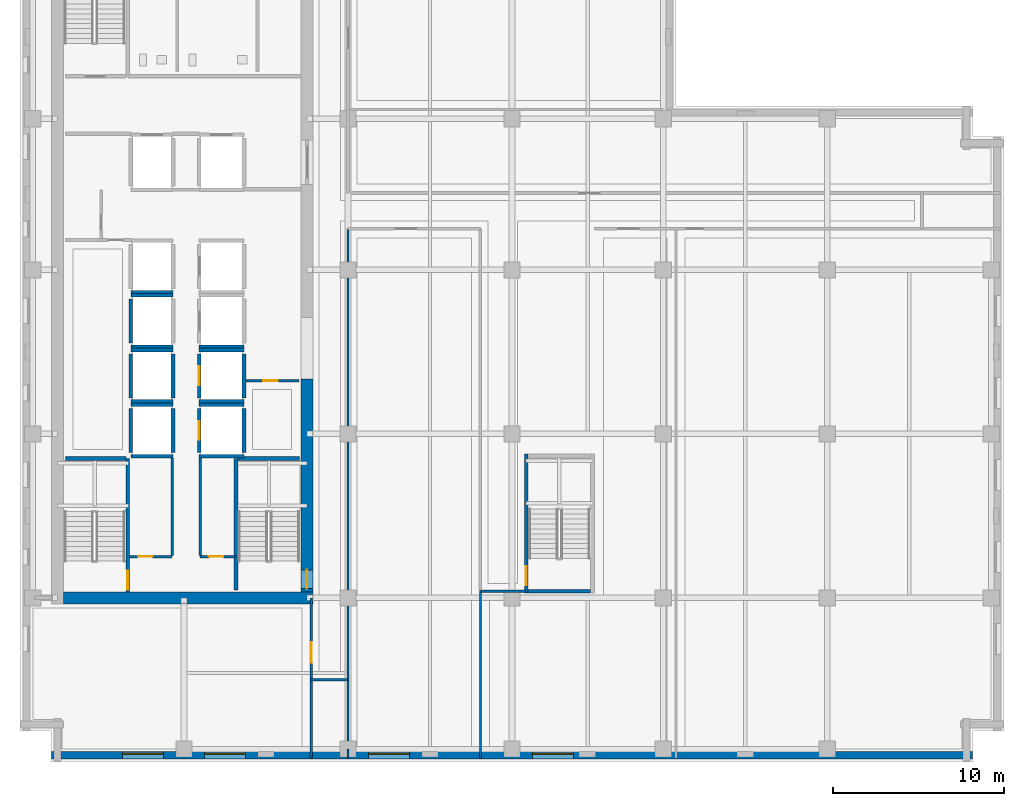
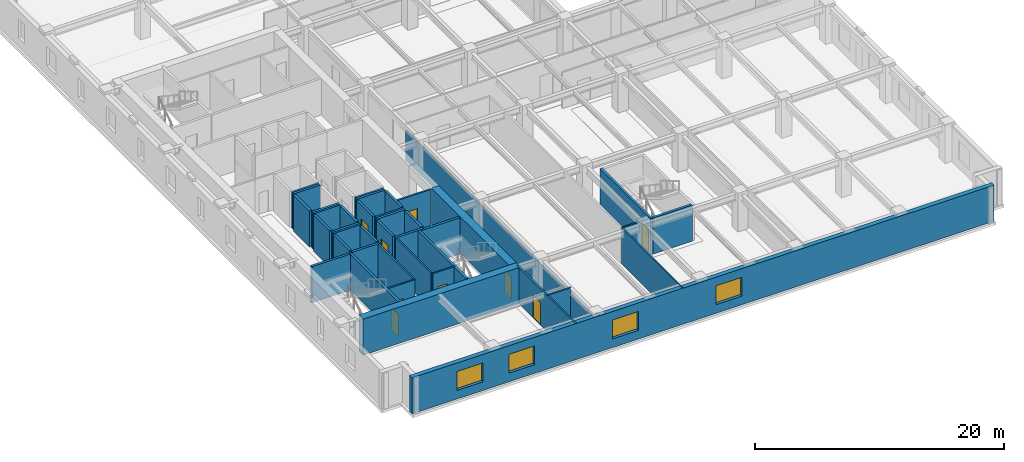
# One storey, part 4 of 14: 41 walls, 9 doors, 4 windows, 13 openings.
"""IFC4 building model written with IfcOpenShell, lengths in metres."""

from ifc_helpers import new_model, si_unit, direction, frame, frame_2d, origin, place, context, subcontext, project, spatial, rectangle, extrude, material, layer, layer_set, type_object, element, fill, save


model = new_model("IFC4")

# Units and contexts
model_context = context("Model", 3, precision=1e-05, world=origin(), true_north=direction((0.0, 1.0)))
body_context = subcontext(model_context, "Body", "Model", "MODEL_VIEW")
ifc_project = project(units=[si_unit("LENGTHUNIT", "METRE"), si_unit("AREAUNIT", "SQUARE_METRE"), si_unit("VOLUMEUNIT", "CUBIC_METRE"), si_unit("PLANEANGLEUNIT", "RADIAN"), si_unit("MASSUNIT", "GRAM", prefix="KILO")], contexts=[model_context])

# Site, building, storey
site_placement = place(None, origin())
site = spatial("IfcSite", under=ifc_project, at=site_placement, CompositionType="ELEMENT")
building_placement = place(site_placement, origin())
building = spatial("IfcBuilding", under=site, at=building_placement, Name="Norrvale University Quadrangle", CompositionType="ELEMENT")
storey_placement = place(building_placement, frame((0.0, 0.0, 156.0)))
storey = spatial("IfcBuildingStorey", under=building, at=storey_placement, Name="L39", CompositionType="ELEMENT", Elevation=156.0)

# Wall, openings, windows
ifc_material_1 = material(Name="Buff Norman Clay Brick Masonry", Category="masonry")
ifc_layer_1 = layer(ifc_material_1, 0.419921875, Name="Buff Norman Clay Brick Masonry")
ifc_layer_set_1 = layer_set([ifc_layer_1], Name="Buff Norman Clay Brick Masonry")
wall_type_1 = type_object("IfcWallType", Name="Wall Buff Brick 420", PredefinedType="SOLIDWALL", material=ifc_layer_set_1)
wall_1_placement = place(storey_placement, frame((1.840087890625, 0.389892578125, 0.0), z_axis=(0.0, 0.0, 1.0), x_axis=(1.0, 0.0, 0.0)))
wall_1 = element("IfcWall", 1, at=wall_1_placement, inside=storey, type_object=wall_type_1, Name="Exterior Brick Facade Wall L39-01.1", PredefinedType="SOLIDWALL", context=body_context, shape_type="SweptSolid", body=[
    extrude(rectangle(XDim=53.919921875, YDim=0.419921875, at=frame_2d((26.9599609375, 0.0))), origin(), (0.0, 0.0, 1.0), 3.5400390625),
])
opening_1_placement = place(wall_1_placement, frame((4.159912109375, 0.0, 0.85009765625)))
opening_1 = element("IfcOpeningElement", 2, at=opening_1_placement, cuts=wall_1, Name="Opening W02", PredefinedType="OPENING", context=body_context, shape_type="SweptSolid", body=[
    extrude(rectangle(XDim=2.39990234375, YDim=1.85009765625, at=frame_2d((1.199951171875, 0.925048828125))), frame((0.0, 0.221923828125, 0.0), z_axis=(0.0, -1.0, 0.0), x_axis=(1.0, 0.0, 0.0)), (0.0, 0.0, 1.0), 0.44384765625),
])
opening_2_placement = place(wall_1_placement, frame((8.9599609375, 0.0, 0.85009765625)))
opening_2 = element("IfcOpeningElement", 3, at=opening_2_placement, cuts=wall_1, Name="Opening W02", PredefinedType="OPENING", context=body_context, shape_type="SweptSolid", body=[
    extrude(rectangle(XDim=2.39990234375, YDim=1.85009765625, at=frame_2d((1.199951171875, 0.925048828125))), frame((0.0, 0.221923828125, 0.0), z_axis=(0.0, -1.0, 0.0), x_axis=(1.0, 0.0, 0.0)), (0.0, 0.0, 1.0), 0.44384765625),
])
opening_3_placement = place(wall_1_placement, frame((18.56005859375, 0.0, 0.85009765625)))
opening_3 = element("IfcOpeningElement", 4, at=opening_3_placement, cuts=wall_1, Name="Opening W02", PredefinedType="OPENING", context=body_context, shape_type="SweptSolid", body=[
    extrude(rectangle(XDim=2.39990234375, YDim=1.85009765625, at=frame_2d((1.199951171875, 0.925048828125))), frame((0.0, 0.221923828125, 0.0), z_axis=(0.0, -1.0, 0.0), x_axis=(1.0, 0.0, 0.0)), (0.0, 0.0, 1.0), 0.44384765625),
])
opening_4_placement = place(wall_1_placement, frame((28.159912109375, 0.0, 0.85009765625)))
opening_4 = element("IfcOpeningElement", 5, at=opening_4_placement, cuts=wall_1, Name="Opening W02", PredefinedType="OPENING", context=body_context, shape_type="SweptSolid", body=[
    extrude(rectangle(XDim=2.39990234375, YDim=1.85009765625, at=frame_2d((1.199951171875, 0.925048828125))), frame((0.0, 0.221923828125, 0.0), z_axis=(0.0, -1.0, 0.0), x_axis=(1.0, 0.0, 0.0)), (0.0, 0.0, 1.0), 0.44384765625),
])
ifc_material_2 = material(Name="Triple Low-E Argon Glazing", Category="glass")
window_type = type_object("IfcWindowType", Name="Window Academic 2400x2300", PartitioningType="TRIPLE_PANEL_VERTICAL", PredefinedType="WINDOW", material=ifc_material_2)
window_1_placement = place(opening_1_placement, origin())
window_1 = element("IfcWindow", 6, at=window_1_placement, inside=storey, type_object=window_type, Name="Window Academic 2400x2300 WIN-L39-E01-1-01", OverallHeight=1.85009765625, OverallWidth=2.39990234375, PartitioningType="TRIPLE_PANEL_VERTICAL", PredefinedType="WINDOW", context=body_context, shape_type="SweptSolid", body=[
    extrude(rectangle(XDim=2.39990234375, YDim=1.85009765625, at=frame_2d((1.199951171875, 0.925048828125))), frame((0.0, 0.110107421875, 0.0), z_axis=(0.0, -1.0, 0.0), x_axis=(1.0, 0.0, 0.0)), (0.0, 0.0, 1.0), 0.06005859375),
])
fill(opening_1, window_1)
window_2_placement = place(opening_2_placement, origin())
window_2 = element("IfcWindow", 7, at=window_2_placement, inside=storey, type_object=window_type, Name="Window Academic 2400x2300 WIN-L39-E01-1-02", OverallHeight=1.85009765625, OverallWidth=2.39990234375, PartitioningType="TRIPLE_PANEL_VERTICAL", PredefinedType="WINDOW", context=body_context, shape_type="SweptSolid", body=[
    extrude(rectangle(XDim=2.39990234375, YDim=1.85009765625, at=frame_2d((1.199951171875, 0.925048828125))), frame((0.0, 0.110107421875, 0.0), z_axis=(0.0, -1.0, 0.0), x_axis=(1.0, 0.0, 0.0)), (0.0, 0.0, 1.0), 0.06005859375),
])
fill(opening_2, window_2)
window_3_placement = place(opening_3_placement, origin())
window_3 = element("IfcWindow", 8, at=window_3_placement, inside=storey, type_object=window_type, Name="Window Academic 2400x2300 WIN-L39-E01-1-03", OverallHeight=1.85009765625, OverallWidth=2.39990234375, PartitioningType="TRIPLE_PANEL_VERTICAL", PredefinedType="WINDOW", context=body_context, shape_type="SweptSolid", body=[
    extrude(rectangle(XDim=2.39990234375, YDim=1.85009765625, at=frame_2d((1.199951171875, 0.925048828125))), frame((0.0, 0.110107421875, 0.0), z_axis=(0.0, -1.0, 0.0), x_axis=(1.0, 0.0, 0.0)), (0.0, 0.0, 1.0), 0.06005859375),
])
fill(opening_3, window_3)
window_4_placement = place(opening_4_placement, origin())
window_4 = element("IfcWindow", 9, at=window_4_placement, inside=storey, type_object=window_type, Name="Window Academic 2400x2300 WIN-L39-E01-1-04", OverallHeight=1.85009765625, OverallWidth=2.39990234375, PartitioningType="TRIPLE_PANEL_VERTICAL", PredefinedType="WINDOW", context=body_context, shape_type="SweptSolid", body=[
    extrude(rectangle(XDim=2.39990234375, YDim=1.85009765625, at=frame_2d((1.199951171875, 0.925048828125))), frame((0.0, 0.110107421875, 0.0), z_axis=(0.0, -1.0, 0.0), x_axis=(1.0, 0.0, 0.0)), (0.0, 0.0, 1.0), 0.06005859375),
])
fill(opening_4, window_4)

# Wall
ifc_material_3 = material(Name="Concrete C60/75", Category="concrete")
ifc_layer_2 = layer(ifc_material_3, 0.699951171875, Name="Concrete C60/75")
ifc_layer_set_2 = layer_set([ifc_layer_2], Name="Concrete C60/75")
wall_type_2 = type_object("IfcWallType", Name="Wall Core 700", PredefinedType="SHEAR", material=ifc_layer_set_2)
wall_2_placement = place(storey_placement, frame((2.550048828125, 9.60009765625, 0.0), z_axis=(0.0, 0.0, 1.0), x_axis=(1.0, 0.0, 0.0)))
element("IfcWall", 10, at=wall_2_placement, inside=storey, type_object=wall_type_2, Name="Tower Core Shear Wall L39-S", PredefinedType="SHEAR", context=body_context, shape_type="SweptSolid", body=[
    extrude(rectangle(XDim=14.599853515625, YDim=0.699951171875, at=frame_2d((7.2998046875, 0.0))), origin(), (0.0, 0.0, 1.0), 3.5400390625),
])

# Wall, opening, door
wall_3_placement = place(storey_placement, frame((16.800048828125, 9.949951171875, 0.0), z_axis=(0.0, 0.0, 1.0), x_axis=(0.0, 1.0, 0.0)))
wall_3 = element("IfcWall", 11, at=wall_3_placement, inside=storey, type_object=wall_type_2, Name="Tower Core Shear Wall L39-E1", PredefinedType="SHEAR", context=body_context, shape_type="SweptSolid", body=[
    extrude(rectangle(XDim=12.449951171875, YDim=0.699951171875, at=frame_2d((6.22509765625, 0.0))), origin(), (0.0, 0.0, 1.0), 3.5400390625),
])
opening_5_placement = place(wall_3_placement, frame((0.18994140625, 0.0, 0.0)))
opening_5 = element("IfcOpeningElement", 12, at=opening_5_placement, cuts=wall_3, Name="Opening D02", PredefinedType="OPENING", context=body_context, shape_type="SweptSolid", body=[
    extrude(rectangle(XDim=1.10009765625, YDim=2.199951171875, at=frame_2d((0.550048828125, 1.10009765625))), frame((0.0, 0.362060546875, 0.0), z_axis=(0.0, -1.0, 0.0), x_axis=(1.0, 0.0, 0.0)), (0.0, 0.0, 1.0), 0.723876953125),
])
ifc_material_4 = material(Name="Hollow Steel 350W Fire Door", Category="steel")
door_type_1 = type_object("IfcDoorType", Name="Door Stair Exit 1100x2200", OperationType="NOTDEFINED", PredefinedType="DOOR", material=ifc_material_4)
door_1_placement = place(opening_5_placement, origin())
door_1 = element("IfcDoor", 13, at=door_1_placement, inside=storey, type_object=door_type_1, Name="Door Stair Exit 1100x2200 DR-L39-ST03", OperationType="SINGLE_SWING_LEFT", OverallHeight=2.199951171875, OverallWidth=1.10009765625, PredefinedType="DOOR", context=body_context, shape_type="SweptSolid", body=[
    extrude(rectangle(XDim=1.10009765625, YDim=2.199951171875, at=frame_2d((0.550048828125, 1.10009765625))), frame((0.0, 0.02490234375, 0.0), z_axis=(0.0, -1.0, 0.0), x_axis=(1.0, 0.0, 0.0)), (0.0, 0.0, 1.0), 0.050048828125),
])
fill(opening_5, door_1)

# Walls
ifc_material_5 = material(Name="Standard Academic Gypsum Partition")
ifc_layer_3 = layer(ifc_material_5, 0.125, Name="Standard Academic Gypsum Partition")
ifc_layer_set_3 = layer_set([ifc_layer_3], Name="Standard Academic Gypsum Partition")
wall_type_3 = type_object("IfcWallType", Name="Wall Gypsum Academic 125", PredefinedType="PARTITIONING", material=ifc_layer_set_3)
wall_4_placement = place(storey_placement, frame((19.199951171875, 0.219970703125, 0.0), z_axis=(0.0, 0.0, 1.0), x_axis=(0.0, 1.0, 0.0)))
element("IfcWall", 14, at=wall_4_placement, inside=storey, type_object=wall_type_3, Name="Interior Partition WL-L39-SE-W0", PredefinedType="PARTITIONING", context=body_context, shape_type="SweptSolid", body=[
    extrude(rectangle(XDim=0.530029296875, YDim=0.125, at=frame_2d((0.26513671875, 0.0))), origin(), (0.0, 0.0, 1.0), 3.5400390625),
])
wall_5_placement = place(storey_placement, frame((19.199951171875, 0.75, 0.0), z_axis=(0.0, 0.0, 1.0), x_axis=(0.0, 1.0, 0.0)))
element("IfcWall", 15, at=wall_5_placement, inside=storey, type_object=wall_type_3, Name="Interior Partition WL-L39-SE-W0-B2", PredefinedType="PARTITIONING", context=body_context, shape_type="SweptSolid", body=[
    extrude(rectangle(XDim=30.449951171875, YDim=0.125, at=frame_2d((15.22509765625, 0.0))), origin(), (0.0, 0.0, 1.0), 2.924072265625),
])
wall_6_placement = place(storey_placement, frame((26.949951171875, 0.219970703125, 0.0), z_axis=(0.0, 0.0, 1.0), x_axis=(0.0, 1.0, 0.0)))
element("IfcWall", 16, at=wall_6_placement, inside=storey, type_object=wall_type_3, Name="Interior Partition WL-L39-SEP1A", PredefinedType="PARTITIONING", context=body_context, shape_type="SweptSolid", body=[
    extrude(rectangle(XDim=9.780029296875, YDim=0.125, at=frame_2d((4.89013671875, 0.0))), origin(), (0.0, 0.0, 1.0), 3.5400390625),
])

# Wall, opening, door
ifc_material_6 = material(Name="Fire-Rated Gypsum Stud Partition")
ifc_layer_4 = layer(ifc_material_6, 0.14990234375, Name="Fire-Rated Gypsum Stud Partition")
ifc_layer_set_4 = layer_set([ifc_layer_4], Name="Fire-Rated Gypsum Stud Partition")
wall_type_4 = type_object("IfcWallType", Name="Wall Gypsum Corridor 150", PredefinedType="PARTITIONING", material=ifc_layer_set_4)
wall_7_placement = place(storey_placement, frame((6.419921875, 12.02001953125, 0.0), z_axis=(0.0, 0.0, 1.0), x_axis=(1.0, 0.0, 0.0)))
wall_7 = element("IfcWall", 17, at=wall_7_placement, inside=storey, type_object=wall_type_4, Name="Interior Partition WL-L39-SC-NL", PredefinedType="PARTITIONING", context=body_context, shape_type="SweptSolid", body=[
    extrude(rectangle(XDim=2.47998046875, YDim=0.14990234375, at=frame_2d((1.239990234375, 0.0))), origin(), (0.0, 0.0, 1.0), 3.5400390625),
])
opening_6_placement = place(wall_7_placement, frame((0.5, 0.0, 0.0)))
opening_6 = element("IfcOpeningElement", 18, at=opening_6_placement, cuts=wall_7, Name="Opening D10", PredefinedType="OPENING", context=body_context, shape_type="SweptSolid", body=[
    extrude(rectangle(XDim=0.85009765625, YDim=2.10009765625, at=frame_2d((0.425048828125, 1.050048828125))), frame((0.0, 0.0869140625, 0.0), z_axis=(0.0, -1.0, 0.0), x_axis=(1.0, 0.0, 0.0)), (0.0, 0.0, 1.0), 0.173828125),
])
ifc_material_7 = material(Name="Hollow Steel 350W Riser Fire Door", Category="steel")
door_type_2 = type_object("IfcDoorType", Name="Door Riser 850x2100", OperationType="NOTDEFINED", PredefinedType="DOOR", material=ifc_material_7)
door_2_placement = place(opening_6_placement, origin())
door_2 = element("IfcDoor", 19, at=door_2_placement, inside=storey, type_object=door_type_2, Name="Door Riser 850x2100 DR-L39-ELEC", OperationType="SINGLE_SWING_LEFT", OverallHeight=2.10009765625, OverallWidth=0.85009765625, PredefinedType="DOOR", context=body_context, shape_type="SweptSolid", body=[
    extrude(rectangle(XDim=0.85009765625, YDim=2.10009765625, at=frame_2d((0.425048828125, 1.050048828125))), frame((0.0, 0.02490234375, 0.0), z_axis=(0.0, -1.0, 0.0), x_axis=(1.0, 0.0, 0.0)), (0.0, 0.0, 1.0), 0.050048828125),
])
fill(opening_6, door_2)

wall_8_placement = place(storey_placement, frame((10.550048828125, 12.02001953125, 0.0), z_axis=(0.0, 0.0, 1.0), x_axis=(1.0, 0.0, 0.0)))
wall_8 = element("IfcWall", 20, at=wall_8_placement, inside=storey, type_object=wall_type_4, Name="Interior Partition WL-L39-SC-NR", PredefinedType="PARTITIONING", context=body_context, shape_type="SweptSolid", body=[
    extrude(rectangle(XDim=2.079833984375, YDim=0.14990234375, at=frame_2d((1.0400390625, 0.0))), origin(), (0.0, 0.0, 1.0), 3.5400390625),
])
opening_7_placement = place(wall_8_placement, frame((0.5, 0.0, 0.0)))
opening_7 = element("IfcOpeningElement", 21, at=opening_7_placement, cuts=wall_8, Name="Opening D10", PredefinedType="OPENING", context=body_context, shape_type="SweptSolid", body=[
    extrude(rectangle(XDim=0.85009765625, YDim=2.10009765625, at=frame_2d((0.425048828125, 1.050048828125))), frame((0.0, 0.0869140625, 0.0), z_axis=(0.0, -1.0, 0.0), x_axis=(1.0, 0.0, 0.0)), (0.0, 0.0, 1.0), 0.173828125),
])
door_3_placement = place(opening_7_placement, origin())
door_3 = element("IfcDoor", 22, at=door_3_placement, inside=storey, type_object=door_type_2, Name="Door Riser 850x2100 DR-L39-IDF", OperationType="SINGLE_SWING_RIGHT", OverallHeight=2.10009765625, OverallWidth=0.85009765625, PredefinedType="DOOR", context=body_context, shape_type="SweptSolid", body=[
    extrude(rectangle(XDim=0.85009765625, YDim=2.10009765625, at=frame_2d((0.425048828125, 1.050048828125))), frame((0.0, 0.02490234375, 0.0), z_axis=(0.0, -1.0, 0.0), x_axis=(1.0, 0.0, 0.0)), (0.0, 0.0, 1.0), 0.050048828125),
])
fill(opening_7, door_3)

# Walls
for number, where, z_axis, x_axis, name in (
    (23, (8.89990234375, 12.094970703125, 0.0), (0.0, 0.0, 1.0), (0.0, 1.0, 0.0), "Interior Partition WL-L39-SC-WL"),
    (24, (10.550048828125, 12.094970703125, 0.0), (0.0, 0.0, 1.0), (0.0, 1.0, 0.0), "Interior Partition WL-L39-SC-WR"),
):
    element("IfcWall", number, at=place(storey_placement, frame(where, z_axis=z_axis, x_axis=x_axis)), inside=storey, type_object=wall_type_4, Name=name, PredefinedType="PARTITIONING", context=body_context, shape_type="SweptSolid", body=[
        extrude(rectangle(XDim=5.679931640625, YDim=0.14990234375, at=frame_2d((2.83984375, 0.0))), origin(), (0.0, 0.0, 1.0), 3.5400390625),
    ])

# Wall, opening, door
wall_9_placement = place(storey_placement, frame((13.22509765625, 22.320068359375, 0.0), z_axis=(0.0, 0.0, 1.0), x_axis=(1.0, 0.0, 0.0)))
wall_9 = element("IfcWall", 25, at=wall_9_placement, inside=storey, type_object=wall_type_4, Name="Interior Partition WL-L39-JAN-N", PredefinedType="PARTITIONING", context=body_context, shape_type="SweptSolid", body=[
    extrude(rectangle(XDim=3.119873046875, YDim=0.14990234375, at=frame_2d((1.56005859375, 0.0))), origin(), (0.0, 0.0, 1.0), 3.5400390625),
])
opening_8_placement = place(wall_9_placement, frame((1.0, 0.0, 0.0)))
opening_8 = element("IfcOpeningElement", 26, at=opening_8_placement, cuts=wall_9, Name="Opening D10", PredefinedType="OPENING", context=body_context, shape_type="SweptSolid", body=[
    extrude(rectangle(XDim=0.85009765625, YDim=2.10009765625, at=frame_2d((0.425048828125, 1.050048828125))), frame((0.0, 0.0869140625, 0.0), z_axis=(0.0, -1.0, 0.0), x_axis=(1.0, 0.0, 0.0)), (0.0, 0.0, 1.0), 0.173828125),
])
door_4_placement = place(opening_8_placement, origin())
door_4 = element("IfcDoor", 27, at=door_4_placement, inside=storey, type_object=door_type_2, Name="Door Riser 850x2100 DR-L39-JAN", OperationType="SINGLE_SWING_LEFT", OverallHeight=2.10009765625, OverallWidth=0.85009765625, PredefinedType="DOOR", context=body_context, shape_type="SweptSolid", body=[
    extrude(rectangle(XDim=0.85009765625, YDim=2.10009765625, at=frame_2d((0.425048828125, 1.050048828125))), frame((0.0, 0.02490234375, 0.0), z_axis=(0.0, -1.0, 0.0), x_axis=(1.0, 0.0, 0.0)), (0.0, 0.0, 1.0), 0.050048828125),
])
fill(opening_8, door_4)

# Wall
wall_10_placement = place(storey_placement, frame((17.050048828125, 4.800048828125, 0.0), z_axis=(0.0, 0.0, 1.0), x_axis=(1.0, 0.0, 0.0)))
element("IfcWall", 28, at=wall_10_placement, inside=storey, type_object=wall_type_4, Name="Interior Partition WL-L39-CSP-S", PredefinedType="PARTITIONING", context=body_context, shape_type="SweptSolid", body=[
    extrude(rectangle(XDim=2.14990234375, YDim=0.14990234375, at=frame_2d((1.074951171875, 0.0))), origin(), (0.0, 0.0, 1.0), 3.5400390625),
])

# Wall, opening, door
wall_11_placement = place(storey_placement, frame((17.050048828125, 0.219970703125, 0.0), z_axis=(0.0, 0.0, 1.0), x_axis=(0.0, 1.0, 0.0)))
wall_11 = element("IfcWall", 29, at=wall_11_placement, inside=storey, type_object=wall_type_4, Name="Interior Partition WL-L39-SW-E", PredefinedType="PARTITIONING", context=body_context, shape_type="SweptSolid", body=[
    extrude(rectangle(XDim=9.380126953125, YDim=0.14990234375, at=frame_2d((4.68994140625, 0.0))), origin(), (0.0, 0.0, 1.0), 3.5400390625),
])
opening_9_placement = place(wall_11_placement, frame((5.580078125, 0.0, 0.0)))
opening_9 = element("IfcOpeningElement", 30, at=opening_9_placement, cuts=wall_11, Name="Opening D05", PredefinedType="OPENING", context=body_context, shape_type="SweptSolid", body=[
    extrude(rectangle(XDim=1.199951171875, YDim=2.199951171875, at=frame_2d((0.60009765625, 1.10009765625))), frame((0.0, 0.0869140625, 0.0), z_axis=(0.0, -1.0, 0.0), x_axis=(1.0, 0.0, 0.0)), (0.0, 0.0, 1.0), 0.173828125),
])
ifc_material_8 = material(Name="Acoustic Oak Classroom Door", Category="wood")
door_type_3 = type_object("IfcDoorType", Name="Door Classroom 1200x2200", OperationType="NOTDEFINED", PredefinedType="DOOR", material=ifc_material_8)
door_5_placement = place(opening_9_placement, origin())
door_5 = element("IfcDoor", 31, at=door_5_placement, inside=storey, type_object=door_type_3, Name="Door Classroom 1200x2200 DR-L39-SW1", OperationType="SINGLE_SWING_LEFT", OverallHeight=2.199951171875, OverallWidth=1.199951171875, PredefinedType="DOOR", context=body_context, shape_type="SweptSolid", body=[
    extrude(rectangle(XDim=1.199951171875, YDim=2.199951171875, at=frame_2d((0.60009765625, 1.10009765625))), frame((0.0, 0.02490234375, 0.0), z_axis=(0.0, -1.0, 0.0), x_axis=(1.0, 0.0, 0.0)), (0.0, 0.0, 1.0), 0.050048828125),
])
fill(opening_9, door_5)

# Wall
wall_12_placement = place(storey_placement, frame((26.949951171875, 10.0, 0.0), z_axis=(0.0, 0.0, 1.0), x_axis=(1.0, 0.0, 0.0)))
element("IfcWall", 32, at=wall_12_placement, inside=storey, type_object=wall_type_4, Name="Interior Partition WL-L39-SEP1C", PredefinedType="PARTITIONING", context=body_context, shape_type="SweptSolid", body=[
    extrude(rectangle(XDim=2.630126953125, YDim=0.14990234375, at=frame_2d((1.31494140625, 0.0))), origin(), (0.0, 0.0, 1.0), 3.5400390625),
])

# Wall, opening, door
ifc_material_9 = material(Name="Concrete Blockwork 20 MPa Fire Shaft", Category="masonry")
ifc_layer_5 = layer(ifc_material_9, 0.219970703125, Name="Concrete Blockwork 20 MPa Fire Shaft")
ifc_layer_set_5 = layer_set([ifc_layer_5], Name="Concrete Blockwork 20 MPa Fire Shaft")
wall_type_5 = type_object("IfcWallType", Name="Wall Shaft 220", PredefinedType="SOLIDWALL", material=ifc_layer_set_5)
wall_13_placement = place(storey_placement, frame((6.31005859375, 9.949951171875, 0.0), z_axis=(0.0, 0.0, 1.0), x_axis=(0.0, 1.0, 0.0)))
wall_13 = element("IfcWall", 33, at=wall_13_placement, inside=storey, type_object=wall_type_5, Name="Stair ST-01 East Shaft Wall L39", PredefinedType="SOLIDWALL", context=body_context, shape_type="SweptSolid", body=[
    extrude(rectangle(XDim=7.81005859375, YDim=0.219970703125, at=frame_2d((3.905029296875, 0.0))), origin(), (0.0, 0.0, 1.0), 3.5400390625),
])
opening_10_placement = place(wall_13_placement, frame((0.139892578125, 0.0, 0.0)))
opening_10 = element("IfcOpeningElement", 34, at=opening_10_placement, cuts=wall_13, Name="Opening D02", PredefinedType="OPENING", context=body_context, shape_type="SweptSolid", body=[
    extrude(rectangle(XDim=1.10009765625, YDim=2.199951171875, at=frame_2d((0.550048828125, 1.10009765625))), frame((0.0, 0.1220703125, 0.0), z_axis=(0.0, -1.0, 0.0), x_axis=(1.0, 0.0, 0.0)), (0.0, 0.0, 1.0), 0.243896484375),
])
door_6_placement = place(opening_10_placement, origin())
door_6 = element("IfcDoor", 35, at=door_6_placement, inside=storey, type_object=door_type_1, Name="Door Stair Exit 1100x2200 DR-L39-ST01", OperationType="SINGLE_SWING_LEFT", OverallHeight=2.199951171875, OverallWidth=1.10009765625, PredefinedType="DOOR", context=body_context, shape_type="SweptSolid", body=[
    extrude(rectangle(XDim=1.10009765625, YDim=2.199951171875, at=frame_2d((0.550048828125, 1.10009765625))), frame((0.0, 0.02490234375, 0.0), z_axis=(0.0, -1.0, 0.0), x_axis=(1.0, 0.0, 0.0)), (0.0, 0.0, 1.0), 0.050048828125),
])
fill(opening_10, door_6)

# Walls
wall_14_placement = place(storey_placement, frame((2.64990234375, 17.760009765625, 0.0), z_axis=(0.0, 0.0, 1.0), x_axis=(1.0, 0.0, 0.0)))
element("IfcWall", 36, at=wall_14_placement, inside=storey, type_object=wall_type_5, Name="Stair ST-01 North Shaft Wall L39", PredefinedType="SOLIDWALL", context=body_context, shape_type="SweptSolid", body=[
    extrude(rectangle(XDim=3.550048828125, YDim=0.219970703125, at=frame_2d((1.77490234375, 0.0))), origin(), (0.0, 0.0, 1.0), 3.5400390625),
])
wall_15_placement = place(storey_placement, frame((12.639892578125, 10.050048828125, 0.0), z_axis=(0.0, 0.0, 1.0), x_axis=(0.0, 1.0, 0.0)))
element("IfcWall", 37, at=wall_15_placement, inside=storey, type_object=wall_type_5, Name="Stair ST-03 West Shaft Wall L39", PredefinedType="SOLIDWALL", context=body_context, shape_type="SweptSolid", body=[
    extrude(rectangle(XDim=7.7099609375, YDim=0.219970703125, at=frame_2d((3.85498046875, 0.0))), origin(), (0.0, 0.0, 1.0), 3.5400390625),
])
wall_16_placement = place(storey_placement, frame((12.75, 17.760009765625, 0.0), z_axis=(0.0, 0.0, 1.0), x_axis=(1.0, 0.0, 0.0)))
element("IfcWall", 38, at=wall_16_placement, inside=storey, type_object=wall_type_5, Name="Stair ST-03 North Shaft Wall L39", PredefinedType="SOLIDWALL", context=body_context, shape_type="SweptSolid", body=[
    extrude(rectangle(XDim=3.60009765625, YDim=0.219970703125, at=frame_2d((1.800048828125, 0.0))), origin(), (0.0, 0.0, 1.0), 3.5400390625),
])
wall_17_placement = place(storey_placement, frame((29.75, 9.989990234375, 0.0), z_axis=(0.0, 0.0, 1.0), x_axis=(1.0, 0.0, 0.0)))
element("IfcWall", 39, at=wall_17_placement, inside=storey, type_object=wall_type_5, Name="Stair ST-04 South Shaft Wall L39", PredefinedType="SOLIDWALL", context=body_context, shape_type="SweptSolid", body=[
    extrude(rectangle(XDim=3.64990234375, YDim=0.219970703125, at=frame_2d((1.824951171875, 0.0))), origin(), (0.0, 0.0, 1.0), 3.5400390625),
])

# Wall, opening, door
wall_18_placement = place(storey_placement, frame((29.639892578125, 9.8798828125, 0.0), z_axis=(0.0, 0.0, 1.0), x_axis=(0.0, 1.0, 0.0)))
wall_18 = element("IfcWall", 40, at=wall_18_placement, inside=storey, type_object=wall_type_5, Name="Stair ST-04 West Shaft Wall L39", PredefinedType="SOLIDWALL", context=body_context, shape_type="SweptSolid", body=[
    extrude(rectangle(XDim=8.14013671875, YDim=0.219970703125, at=frame_2d((4.070068359375, 0.0))), origin(), (0.0, 0.0, 1.0), 3.5400390625),
])
opening_11_placement = place(wall_18_placement, frame((0.469970703125, 0.0, 0.0)))
opening_11 = element("IfcOpeningElement", 41, at=opening_11_placement, cuts=wall_18, Name="Opening D02", PredefinedType="OPENING", context=body_context, shape_type="SweptSolid", body=[
    extrude(rectangle(XDim=1.10009765625, YDim=2.199951171875, at=frame_2d((0.550048828125, 1.10009765625))), frame((0.0, 0.1220703125, 0.0), z_axis=(0.0, -1.0, 0.0), x_axis=(1.0, 0.0, 0.0)), (0.0, 0.0, 1.0), 0.243896484375),
])
door_7_placement = place(opening_11_placement, frame((1.10009765625, 0.0, 0.0), z_axis=(0.0, 0.0, 1.0), x_axis=(-1.0, 0.0, 0.0)))
door_7 = element("IfcDoor", 42, at=door_7_placement, inside=storey, type_object=door_type_1, Name="Door Stair Exit 1100x2200 DR-L39-ST04", OperationType="SINGLE_SWING_RIGHT", OverallHeight=2.199951171875, OverallWidth=1.10009765625, PredefinedType="DOOR", context=body_context, shape_type="SweptSolid", body=[
    extrude(rectangle(XDim=1.10009765625, YDim=2.199951171875, at=frame_2d((0.550048828125, 1.10009765625))), frame((0.0, 0.02490234375, 0.0), z_axis=(0.0, -1.0, 0.0), x_axis=(1.0, 0.0, 0.0)), (0.0, 0.0, 1.0), 0.050048828125),
])
fill(opening_11, door_7)

# Walls
for number, where, z_axis, x_axis, name in (
    (43, (6.489990234375, 18.110107421875, 0.0), (0.0, 0.0, 1.0), (0.0, 1.0, 0.0), "Hoistway PL-01 West Wall L39"),
    (44, (8.9599609375, 18.110107421875, 0.0), (0.0, 0.0, 1.0), (0.0, 1.0, 0.0), "Hoistway PL-01 East Wall L39"),
):
    element("IfcWall", number, at=place(storey_placement, frame(where, z_axis=z_axis, x_axis=x_axis)), inside=storey, type_object=wall_type_5, Name=name, PredefinedType="SOLIDWALL", context=body_context, shape_type="SweptSolid", body=[
        extrude(rectangle(XDim=2.579833984375, YDim=0.219970703125, at=frame_2d((1.2900390625, 0.0))), origin(), (0.0, 0.0, 1.0), 3.5400390625),
    ])
for number, where, z_axis, x_axis, name in (
    (45, (6.489990234375, 17.889892578125, 0.0), (0.0, 0.0, 1.0), (1.0, 0.0, 0.0), "Hoistway PL-01 South Wall L39"),
    (46, (6.489990234375, 20.909912109375, 0.0), (0.0, 0.0, 1.0), (1.0, 0.0, 0.0), "Hoistway PL-01 North Wall L39"),
):
    element("IfcWall", number, at=place(storey_placement, frame(where, z_axis=z_axis, x_axis=x_axis)), inside=storey, type_object=wall_type_5, Name=name, PredefinedType="SOLIDWALL", context=body_context, shape_type="SweptSolid", body=[
        extrude(rectangle(XDim=2.469970703125, YDim=0.219970703125, at=frame_2d((1.23486328125, 0.0))), origin(), (0.0, 0.0, 1.0), 3.5400390625),
    ])
for number, where, z_axis, x_axis, name in (
    (47, (6.489990234375, 21.31005859375, 0.0), (0.0, 0.0, 1.0), (0.0, 1.0, 0.0), "Hoistway PL-02 West Wall L39"),
    (48, (8.9599609375, 21.31005859375, 0.0), (0.0, 0.0, 1.0), (0.0, 1.0, 0.0), "Hoistway PL-02 East Wall L39"),
):
    element("IfcWall", number, at=place(storey_placement, frame(where, z_axis=z_axis, x_axis=x_axis)), inside=storey, type_object=wall_type_5, Name=name, PredefinedType="SOLIDWALL", context=body_context, shape_type="SweptSolid", body=[
        extrude(rectangle(XDim=2.579833984375, YDim=0.219970703125, at=frame_2d((1.2900390625, 0.0))), origin(), (0.0, 0.0, 1.0), 3.5400390625),
    ])
for number, where, z_axis, x_axis, name in (
    (49, (6.489990234375, 21.090087890625, 0.0), (0.0, 0.0, 1.0), (1.0, 0.0, 0.0), "Hoistway PL-02 South Wall L39"),
    (50, (6.489990234375, 24.110107421875, 0.0), (0.0, 0.0, 1.0), (1.0, 0.0, 0.0), "Hoistway PL-02 North Wall L39"),
):
    element("IfcWall", number, at=place(storey_placement, frame(where, z_axis=z_axis, x_axis=x_axis)), inside=storey, type_object=wall_type_5, Name=name, PredefinedType="SOLIDWALL", context=body_context, shape_type="SweptSolid", body=[
        extrude(rectangle(XDim=2.469970703125, YDim=0.219970703125, at=frame_2d((1.23486328125, 0.0))), origin(), (0.0, 0.0, 1.0), 3.5400390625),
    ])
wall_19_placement = place(storey_placement, frame((6.489990234375, 24.510009765625, 0.0), z_axis=(0.0, 0.0, 1.0), x_axis=(0.0, 1.0, 0.0)))
element("IfcWall", 51, at=wall_19_placement, inside=storey, type_object=wall_type_5, Name="Hoistway PL-03 West Wall L39", PredefinedType="SOLIDWALL", context=body_context, shape_type="SweptSolid", body=[
    extrude(rectangle(XDim=2.580078125, YDim=0.219970703125, at=frame_2d((1.2900390625, 0.0))), origin(), (0.0, 0.0, 1.0), 3.5400390625),
])
for number, where, z_axis, x_axis, name in (
    (52, (6.489990234375, 24.2900390625, 0.0), (0.0, 0.0, 1.0), (1.0, 0.0, 0.0), "Hoistway PL-03 South Wall L39"),
    (53, (6.489990234375, 27.31005859375, 0.0), (0.0, 0.0, 1.0), (1.0, 0.0, 0.0), "Hoistway PL-03 North Wall L39"),
    (54, (6.489990234375, 27.489990234375, 0.0), (0.0, 0.0, 1.0), (1.0, 0.0, 0.0), "Hoistway PL-04 South Wall L39"),
):
    element("IfcWall", number, at=place(storey_placement, frame(where, z_axis=z_axis, x_axis=x_axis)), inside=storey, type_object=wall_type_5, Name=name, PredefinedType="SOLIDWALL", context=body_context, shape_type="SweptSolid", body=[
        extrude(rectangle(XDim=2.469970703125, YDim=0.219970703125, at=frame_2d((1.23486328125, 0.0))), origin(), (0.0, 0.0, 1.0), 3.5400390625),
    ])

# Wall, opening, door
wall_20_placement = place(storey_placement, frame((10.489990234375, 18.110107421875, 0.0), z_axis=(0.0, 0.0, 1.0), x_axis=(0.0, 1.0, 0.0)))
wall_20 = element("IfcWall", 55, at=wall_20_placement, inside=storey, type_object=wall_type_5, Name="Hoistway PL-05 West Wall L39", PredefinedType="SOLIDWALL", context=body_context, shape_type="SweptSolid", body=[
    extrude(rectangle(XDim=2.579833984375, YDim=0.219970703125, at=frame_2d((1.2900390625, 0.0))), origin(), (0.0, 0.0, 1.0), 3.5400390625),
])
opening_12_placement = place(wall_20_placement, frame((0.739990234375, 0.0, 0.0)))
opening_12 = element("IfcOpeningElement", 56, at=opening_12_placement, cuts=wall_20, Name="Opening LD1", PredefinedType="OPENING", context=body_context, shape_type="SweptSolid", body=[
    extrude(rectangle(XDim=1.10009765625, YDim=2.199951171875, at=frame_2d((0.550048828125, 1.10009765625))), frame((0.0, 0.1220703125, 0.0), z_axis=(0.0, -1.0, 0.0), x_axis=(1.0, 0.0, 0.0)), (0.0, 0.0, 1.0), 0.243896484375),
])
ifc_material_10 = material(Name="Stainless Steel 316L Lift Landing Door", Category="steel")
door_type_4 = type_object("IfcDoorType", Name="Door Lift Landing 1100x2200", OperationType="DOUBLE_DOOR_SLIDING", PredefinedType="DOOR", material=ifc_material_10)
door_8_placement = place(opening_12_placement, origin())
door_8 = element("IfcDoor", 57, at=door_8_placement, inside=storey, type_object=door_type_4, Name="Elevator Landing Door DR-L39-PL-05", OperationType="DOUBLE_DOOR_SLIDING", OverallHeight=2.199951171875, OverallWidth=1.10009765625, PredefinedType="DOOR", context=body_context, shape_type="SweptSolid", body=[
    extrude(rectangle(XDim=1.10009765625, YDim=2.199951171875, at=frame_2d((0.550048828125, 1.10009765625))), frame((0.0, 0.02490234375, 0.0), z_axis=(0.0, -1.0, 0.0), x_axis=(1.0, 0.0, 0.0)), (0.0, 0.0, 1.0), 0.050048828125),
])
fill(opening_12, door_8)

# Walls
wall_21_placement = place(storey_placement, frame((13.110107421875, 18.110107421875, 0.0), z_axis=(0.0, 0.0, 1.0), x_axis=(0.0, 1.0, 0.0)))
element("IfcWall", 58, at=wall_21_placement, inside=storey, type_object=wall_type_5, Name="Hoistway PL-05 East Wall L39", PredefinedType="SOLIDWALL", context=body_context, shape_type="SweptSolid", body=[
    extrude(rectangle(XDim=2.579833984375, YDim=0.219970703125, at=frame_2d((1.2900390625, 0.0))), origin(), (0.0, 0.0, 1.0), 3.5400390625),
])
for number, where, z_axis, x_axis, name in (
    (59, (10.489990234375, 17.889892578125, 0.0), (0.0, 0.0, 1.0), (1.0, 0.0, 0.0), "Hoistway PL-05 South Wall L39"),
    (60, (10.489990234375, 20.909912109375, 0.0), (0.0, 0.0, 1.0), (1.0, 0.0, 0.0), "Hoistway PL-05 North Wall L39"),
):
    element("IfcWall", number, at=place(storey_placement, frame(where, z_axis=z_axis, x_axis=x_axis)), inside=storey, type_object=wall_type_5, Name=name, PredefinedType="SOLIDWALL", context=body_context, shape_type="SweptSolid", body=[
        extrude(rectangle(XDim=2.6201171875, YDim=0.219970703125, at=frame_2d((1.31005859375, 0.0))), origin(), (0.0, 0.0, 1.0), 3.5400390625),
    ])

# Wall, opening, door
wall_22_placement = place(storey_placement, frame((10.489990234375, 21.31005859375, 0.0), z_axis=(0.0, 0.0, 1.0), x_axis=(0.0, 1.0, 0.0)))
wall_22 = element("IfcWall", 61, at=wall_22_placement, inside=storey, type_object=wall_type_5, Name="Hoistway PL-06 West Wall L39", PredefinedType="SOLIDWALL", context=body_context, shape_type="SweptSolid", body=[
    extrude(rectangle(XDim=2.579833984375, YDim=0.219970703125, at=frame_2d((1.2900390625, 0.0))), origin(), (0.0, 0.0, 1.0), 3.5400390625),
])
opening_13_placement = place(wall_22_placement, frame((0.739990234375, 0.0, 0.0)))
opening_13 = element("IfcOpeningElement", 62, at=opening_13_placement, cuts=wall_22, Name="Opening LD1", PredefinedType="OPENING", context=body_context, shape_type="SweptSolid", body=[
    extrude(rectangle(XDim=1.10009765625, YDim=2.199951171875, at=frame_2d((0.550048828125, 1.10009765625))), frame((0.0, 0.1220703125, 0.0), z_axis=(0.0, -1.0, 0.0), x_axis=(1.0, 0.0, 0.0)), (0.0, 0.0, 1.0), 0.243896484375),
])
door_9_placement = place(opening_13_placement, origin())
door_9 = element("IfcDoor", 63, at=door_9_placement, inside=storey, type_object=door_type_4, Name="Elevator Landing Door DR-L39-PL-06", OperationType="DOUBLE_DOOR_SLIDING", OverallHeight=2.199951171875, OverallWidth=1.10009765625, PredefinedType="DOOR", context=body_context, shape_type="SweptSolid", body=[
    extrude(rectangle(XDim=1.10009765625, YDim=2.199951171875, at=frame_2d((0.550048828125, 1.10009765625))), frame((0.0, 0.02490234375, 0.0), z_axis=(0.0, -1.0, 0.0), x_axis=(1.0, 0.0, 0.0)), (0.0, 0.0, 1.0), 0.050048828125),
])
fill(opening_13, door_9)

# Walls
wall_23_placement = place(storey_placement, frame((13.110107421875, 21.31005859375, 0.0), z_axis=(0.0, 0.0, 1.0), x_axis=(0.0, 1.0, 0.0)))
element("IfcWall", 64, at=wall_23_placement, inside=storey, type_object=wall_type_5, Name="Hoistway PL-06 East Wall L39", PredefinedType="SOLIDWALL", context=body_context, shape_type="SweptSolid", body=[
    extrude(rectangle(XDim=2.579833984375, YDim=0.219970703125, at=frame_2d((1.2900390625, 0.0))), origin(), (0.0, 0.0, 1.0), 3.5400390625),
])
for number, where, z_axis, x_axis, name in (
    (65, (10.489990234375, 21.090087890625, 0.0), (0.0, 0.0, 1.0), (1.0, 0.0, 0.0), "Hoistway PL-06 South Wall L39"),
    (66, (10.489990234375, 24.110107421875, 0.0), (0.0, 0.0, 1.0), (1.0, 0.0, 0.0), "Hoistway PL-06 North Wall L39"),
    (67, (10.489990234375, 24.2900390625, 0.0), (0.0, 0.0, 1.0), (1.0, 0.0, 0.0), "Hoistway PL-07 South Wall L39"),
):
    element("IfcWall", number, at=place(storey_placement, frame(where, z_axis=z_axis, x_axis=x_axis)), inside=storey, type_object=wall_type_5, Name=name, PredefinedType="SOLIDWALL", context=body_context, shape_type="SweptSolid", body=[
        extrude(rectangle(XDim=2.6201171875, YDim=0.219970703125, at=frame_2d((1.31005859375, 0.0))), origin(), (0.0, 0.0, 1.0), 3.5400390625),
    ])

save(model, "model.ifc")
